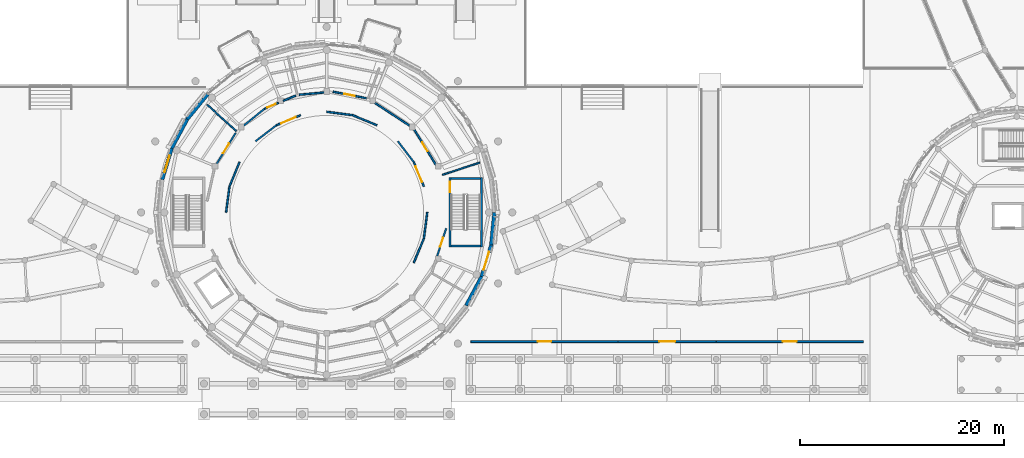
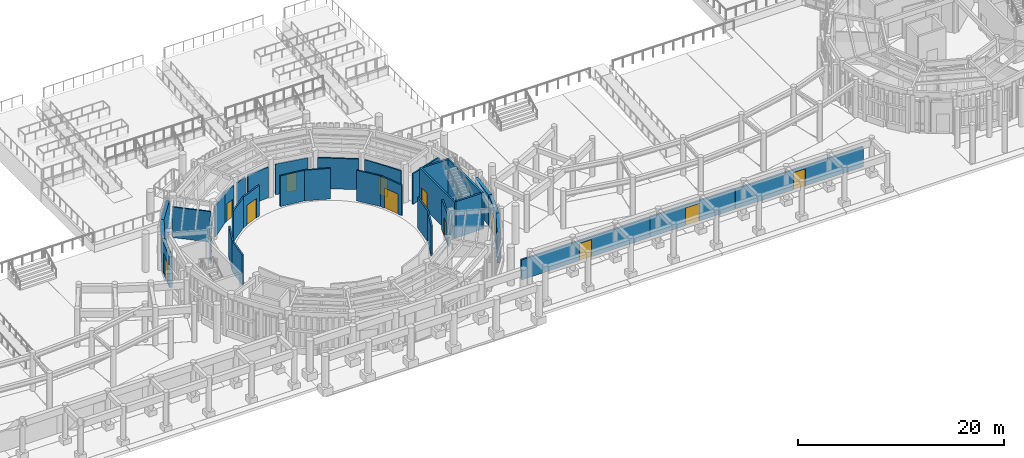
# One storey, part 49 of 94: 34 walls, 13 doors, 13 openings.
"""IFC4 building model written with IfcOpenShell, lengths in metres."""

from ifc_helpers import new_model, si_unit, direction, frame, frame_2d, origin, place, context, subcontext, project, spatial, rectangle, extrude, material, layer, layer_set, type_object, element, fill, save


model = new_model("IFC4")

# Units and contexts
model_context = context("Model", 3, precision=1e-05, world=origin(), true_north=direction((0.0, 1.0)))
body_context = subcontext(model_context, "Body", "Model", "MODEL_VIEW")
ifc_project = project(units=[si_unit("LENGTHUNIT", "METRE"), si_unit("AREAUNIT", "SQUARE_METRE"), si_unit("VOLUMEUNIT", "CUBIC_METRE"), si_unit("PLANEANGLEUNIT", "RADIAN"), si_unit("MASSUNIT", "GRAM", prefix="KILO")], contexts=[model_context])

# Site, building, storey
site_placement = place(None, origin())
site = spatial("IfcSite", under=ifc_project, at=site_placement, CompositionType="ELEMENT")
building_placement = place(site_placement, origin())
building = spatial("IfcBuilding", under=site, at=building_placement, Name="Aldenvaro Health Centre", CompositionType="ELEMENT")
storey_placement = place(building_placement, origin())
storey = spatial("IfcBuildingStorey", under=building, at=storey_placement, Name="L00", CompositionType="ELEMENT", Elevation=0.0)

# Walls
ifc_material_1 = material(Name="Gypsum Stud Acoustic Assembly")
ifc_layer_1 = layer(ifc_material_1, 0.14501953125, Name="Gypsum Stud Acoustic Assembly")
ifc_layer_set_1 = layer_set([ifc_layer_1], Name="Gypsum Stud Acoustic Assembly")
wall_type_1 = type_object("IfcWallType", Name="WL-CLN-145", PredefinedType="PARTITIONING", material=ifc_layer_set_1)
wall_1_placement = place(storey_placement, frame((98.320068359375, 23.677978515625, 0.0), z_axis=(0.0, 0.0, 1.0), x_axis=(0.951000745696, 0.309188585957, 0.0)))
element("IfcWall", 1, at=wall_1_placement, inside=storey, type_object=wall_type_1, Name="D1 L00 clinical partition 1.1", PredefinedType="PARTITIONING", context=body_context, shape_type="SweptSolid", body=[
    extrude(rectangle(XDim=3.8232421875, YDim=0.14501953125, at=frame_2d((1.91162109375, 0.0))), origin(), (0.0, 0.0, 1.0), 3.634033203125),
])
wall_2_placement = place(storey_placement, frame((78.154052734375, 27.965087890625, 0.0), z_axis=(0.0, 0.0, 1.0), x_axis=(-0.74318650969, 0.66908430845, 0.0)))
element("IfcWall", 2, at=wall_2_placement, inside=storey, type_object=wall_type_1, Name="D1 L00 clinical partition 4.1", PredefinedType="PARTITIONING", context=body_context, shape_type="SweptSolid", body=[
    extrude(rectangle(XDim=3.8349609375, YDim=0.14501953125, at=frame_2d((1.91748046875, 0.0))), origin(), (0.0, 0.0, 1.0), 3.634033203125),
])

# Wall, opening, door
ifc_layer_2 = layer(ifc_material_1, 0.1650390625, Name="Gypsum Stud Acoustic Assembly")
ifc_layer_set_2 = layer_set([ifc_layer_2], Name="Gypsum Stud Acoustic Assembly")
wall_type_2 = type_object("IfcWallType", Name="WL-COR-165", PredefinedType="PARTITIONING", material=ifc_layer_set_2)
wall_3_placement = place(storey_placement, frame((96.5048828125, 22.547119140625, 0.0), z_axis=(0.0, 0.0, 1.0), x_axis=(-0.382704397106, 0.923870848353, 0.0)))
wall_3 = element("IfcWall", 3, at=wall_3_placement, inside=storey, type_object=wall_type_2, Name="Waiting Hall Ring Wall 02", PredefinedType="PARTITIONING", context=body_context, shape_type="SweptSolid", body=[
    extrude(rectangle(XDim=2.568359375, YDim=0.1650390625, at=frame_2d((1.2841796875, 0.0))), origin(), (0.0, 0.0, 1.0), 3.634033203125),
])
opening_1_placement = place(wall_3_placement, frame((0.458984375, 0.0, 0.0)))
opening_1 = element("IfcOpeningElement", 4, at=opening_1_placement, cuts=wall_3, Name="Opening RD-01", PredefinedType="OPENING", context=body_context, shape_type="SweptSolid", body=[
    extrude(rectangle(XDim=1.64990234375, YDim=2.39990234375, at=frame_2d((0.824951171875, 1.199951171875))), frame((0.0, 0.092529296875, 0.0), z_axis=(0.0, -1.0, 0.0), x_axis=(1.0, 0.0, 0.0)), (0.0, 0.0, 1.0), 0.18505859375),
])
ifc_material_2 = material(Name="Glazed Rotunda Concourse Portal")
door_type_1 = type_object("IfcDoorType", Name="DR-ROT-165", OperationType="NOTDEFINED", PredefinedType="DOOR", material=ifc_material_2)
door_1_placement = place(opening_1_placement, origin())
door_1 = element("IfcDoor", 5, at=door_1_placement, inside=storey, type_object=door_type_1, Name="Main Waiting Hall Concourse Door 2", OperationType="SINGLE_SWING_RIGHT", OverallHeight=2.39990234375, OverallWidth=1.64990234375, PredefinedType="DOOR", context=body_context, shape_type="SweptSolid", body=[
    extrude(rectangle(XDim=1.64990234375, YDim=2.39990234375, at=frame_2d((0.824951171875, 1.199951171875))), frame((0.0, 0.02490234375, 0.0), z_axis=(0.0, -1.0, 0.0), x_axis=(1.0, 0.0, 0.0)), (0.0, 0.0, 1.0), 0.050048828125),
])
fill(opening_1, door_1)

# Walls
wall_4_placement = place(storey_placement, frame((95.52197265625, 24.919921875, 0.0), z_axis=(0.0, 0.0, 1.0), x_axis=(-0.608782621434, 0.793337078322, 0.0)))
element("IfcWall", 6, at=wall_4_placement, inside=storey, type_object=wall_type_2, Name="Waiting Hall Ring Wall 03", PredefinedType="PARTITIONING", context=body_context, shape_type="SweptSolid", body=[
    extrude(rectangle(XDim=2.569091796875, YDim=0.1650390625, at=frame_2d((1.28466796875, 0.0))), origin(), (0.0, 0.0, 1.0), 3.634033203125),
])
wall_5_placement = place(storey_placement, frame((91.919921875, 28.52197265625, 0.0), z_axis=(0.0, 0.0, 1.0), x_axis=(-0.923870848353, 0.382704397106, 0.0)))
element("IfcWall", 7, at=wall_5_placement, inside=storey, type_object=wall_type_2, Name="Waiting Hall Ring Wall 05", PredefinedType="PARTITIONING", context=body_context, shape_type="SweptSolid", body=[
    extrude(rectangle(XDim=2.568359375, YDim=0.1650390625, at=frame_2d((1.2841796875, 0.0))), origin(), (0.0, 0.0, 1.0), 3.634033203125),
])
wall_6_placement = place(storey_placement, frame((89.547119140625, 29.5048828125, 0.0), z_axis=(0.0, 0.0, 1.0), x_axis=(-0.991451384224, 0.130476636685, 0.0)))
element("IfcWall", 8, at=wall_6_placement, inside=storey, type_object=wall_type_2, Name="Waiting Hall Ring Wall 06", PredefinedType="PARTITIONING", context=body_context, shape_type="SweptSolid", body=[
    extrude(rectangle(XDim=2.569091796875, YDim=0.1650390625, at=frame_2d((1.28466796875, 0.0))), origin(), (0.0, 0.0, 1.0), 3.634033203125),
])

# Wall, opening, door
wall_7_placement = place(storey_placement, frame((84.452880859375, 29.5048828125, 0.0), z_axis=(0.0, 0.0, 1.0), x_axis=(-0.923870848353, -0.382704397106, 0.0)))
wall_7 = element("IfcWall", 9, at=wall_7_placement, inside=storey, type_object=wall_type_2, Name="Waiting Hall Ring Wall 08", PredefinedType="PARTITIONING", context=body_context, shape_type="SweptSolid", body=[
    extrude(rectangle(XDim=2.568359375, YDim=0.1650390625, at=frame_2d((1.2841796875, 0.0))), origin(), (0.0, 0.0, 1.0), 3.634033203125),
])
opening_2_placement = place(wall_7_placement, frame((0.509033203125, 0.0, 0.0)))
opening_2 = element("IfcOpeningElement", 10, at=opening_2_placement, cuts=wall_7, Name="Opening RD-02", PredefinedType="OPENING", context=body_context, shape_type="SweptSolid", body=[
    extrude(rectangle(XDim=1.550048828125, YDim=2.35009765625, at=frame_2d((0.77490234375, 1.175048828125))), frame((0.0, 0.092529296875, 0.0), z_axis=(0.0, -1.0, 0.0), x_axis=(1.0, 0.0, 0.0)), (0.0, 0.0, 1.0), 0.18505859375),
])
ifc_material_3 = material(Name="Glazed Waiting Hall Portal")
door_type_2 = type_object("IfcDoorType", Name="DR-ROT-155", OperationType="NOTDEFINED", PredefinedType="DOOR", material=ifc_material_3)
door_2_placement = place(opening_2_placement, origin())
door_2 = element("IfcDoor", 11, at=door_2_placement, inside=storey, type_object=door_type_2, Name="Main Waiting Hall Concourse Door 8", OperationType="SINGLE_SWING_LEFT", OverallHeight=2.35009765625, OverallWidth=1.550048828125, PredefinedType="DOOR", context=body_context, shape_type="SweptSolid", body=[
    extrude(rectangle(XDim=1.550048828125, YDim=2.35009765625, at=frame_2d((0.77490234375, 1.175048828125))), frame((0.0, 0.02490234375, 0.0), z_axis=(0.0, -1.0, 0.0), x_axis=(1.0, 0.0, 0.0)), (0.0, 0.0, 1.0), 0.050048828125),
])
fill(opening_2, door_2)

# Walls
wall_8_placement = place(storey_placement, frame((82.080078125, 28.52197265625, 0.0), z_axis=(0.0, 0.0, 1.0), x_axis=(-0.793337078322, -0.608782621434, 0.0)))
element("IfcWall", 12, at=wall_8_placement, inside=storey, type_object=wall_type_2, Name="Waiting Hall Ring Wall 09", PredefinedType="PARTITIONING", context=body_context, shape_type="SweptSolid", body=[
    extrude(rectangle(XDim=2.569091796875, YDim=0.1650390625, at=frame_2d((1.28466796875, 0.0))), origin(), (0.0, 0.0, 1.0), 3.634033203125),
])
wall_9_placement = place(storey_placement, frame((78.47802734375, 24.919921875, 0.0), z_axis=(0.0, 0.0, 1.0), x_axis=(-0.382704397106, -0.923870848353, 0.0)))
element("IfcWall", 13, at=wall_9_placement, inside=storey, type_object=wall_type_2, Name="Waiting Hall Ring Wall 11", PredefinedType="PARTITIONING", context=body_context, shape_type="SweptSolid", body=[
    extrude(rectangle(XDim=2.568359375, YDim=0.1650390625, at=frame_2d((1.2841796875, 0.0))), origin(), (0.0, 0.0, 1.0), 3.634033203125),
])
wall_10_placement = place(storey_placement, frame((77.4951171875, 22.547119140625, 0.0), z_axis=(0.0, 0.0, 1.0), x_axis=(-0.130476636685, -0.991451384224, 0.0)))
element("IfcWall", 14, at=wall_10_placement, inside=storey, type_object=wall_type_2, Name="Waiting Hall Ring Wall 12", PredefinedType="PARTITIONING", context=body_context, shape_type="SweptSolid", body=[
    extrude(rectangle(XDim=2.569091796875, YDim=0.1650390625, at=frame_2d((1.28466796875, 0.0))), origin(), (0.0, 0.0, 1.0), 3.634033203125),
])
wall_11_placement = place(storey_placement, frame((95.52197265625, 15.080078125, 0.0), z_axis=(0.0, 0.0, 1.0), x_axis=(0.382704397106, 0.923870848353, 0.0)))
element("IfcWall", 15, at=wall_11_placement, inside=storey, type_object=wall_type_2, Name="Waiting Hall Ring Wall 23", PredefinedType="PARTITIONING", context=body_context, shape_type="SweptSolid", body=[
    extrude(rectangle(XDim=2.568359375, YDim=0.1650390625, at=frame_2d((1.2841796875, 0.0))), origin(), (0.0, 0.0, 1.0), 3.634033203125),
])
wall_12_placement = place(storey_placement, frame((96.5048828125, 17.452880859375, 0.0), z_axis=(0.0, 0.0, 1.0), x_axis=(0.130476636685, 0.991451384224, 0.0)))
element("IfcWall", 16, at=wall_12_placement, inside=storey, type_object=wall_type_2, Name="Waiting Hall Ring Wall 24", PredefinedType="PARTITIONING", context=body_context, shape_type="SweptSolid", body=[
    extrude(rectangle(XDim=2.569091796875, YDim=0.1650390625, at=frame_2d((1.28466796875, 0.0))), origin(), (0.0, 0.0, 1.0), 3.634033203125),
])

# Wall, opening, door
wall_13_placement = place(storey_placement, frame((97.674072265625, 24.656982421875, 0.0), z_axis=(0.0, 0.0, 1.0), x_axis=(-0.521326855472, 0.853357082213, 0.0)))
wall_13 = element("IfcWall", 17, at=wall_13_placement, inside=storey, type_object=wall_type_2, Name="D1 L00 corridor wall 01.1", PredefinedType="PARTITIONING", context=body_context, shape_type="SweptSolid", body=[
    extrude(rectangle(XDim=4.089599609375, YDim=0.1650390625, at=frame_2d((2.044921875, 0.0))), origin(), (0.0, 0.0, 1.0), 3.634033203125),
])
opening_3_placement = place(wall_13_placement, frame((1.544921875, 0.0, 0.0)))
opening_3 = element("IfcOpeningElement", 18, at=opening_3_placement, cuts=wall_13, Name="Opening D-03", PredefinedType="OPENING", context=body_context, shape_type="SweptSolid", body=[
    extrude(rectangle(XDim=1.0, YDim=2.139892578125, at=frame_2d((0.5, 1.06982421875))), frame((0.0, 0.092529296875, 0.0), z_axis=(0.0, -1.0, 0.0), x_axis=(1.0, 0.0, 0.0)), (0.0, 0.0, 1.0), 0.18505859375),
])
ifc_material_4 = material(Name="Solid Core Acoustic Timber Door", Category="wood")
door_type_3 = type_object("IfcDoorType", Name="DR-CLN-03", OperationType="NOTDEFINED", PredefinedType="DOOR", material=ifc_material_4)
door_3_placement = place(opening_3_placement, origin())
door_3 = element("IfcDoor", 19, at=door_3_placement, inside=storey, type_object=door_type_3, Name="Registration and Reception Suite Door", OperationType="SINGLE_SWING_RIGHT", OverallHeight=2.139892578125, OverallWidth=1.0, PredefinedType="DOOR", context=body_context, shape_type="SweptSolid", body=[
    extrude(rectangle(XDim=1.0, YDim=2.139892578125, at=frame_2d((0.5, 1.06982421875))), frame((0.0, 0.02490234375, 0.0), z_axis=(0.0, -1.0, 0.0), x_axis=(1.0, 0.0, 0.0)), (0.0, 0.0, 1.0), 0.050048828125),
])
fill(opening_3, door_3)

# Wall
wall_14_placement = place(storey_placement, frame((95.10400390625, 28.47412109375, 0.0), z_axis=(0.0, 0.0, 1.0), x_axis=(-0.834683396139, 0.55073008653, 0.0)))
element("IfcWall", 20, at=wall_14_placement, inside=storey, type_object=wall_type_2, Name="D1 L00 corridor wall 01.2", PredefinedType="PARTITIONING", context=body_context, shape_type="SweptSolid", body=[
    extrude(rectangle(XDim=4.065185546875, YDim=0.1650390625, at=frame_2d((2.03271484375, 0.0))), origin(), (0.0, 0.0, 1.0), 3.634033203125),
])

# Wall, opening, door
wall_15_placement = place(storey_placement, frame((90.876953125, 31.166015625, 0.0), z_axis=(0.0, 0.0, 1.0), x_axis=(-0.981364628343, 0.192154797592, 0.0)))
wall_15 = element("IfcWall", 21, at=wall_15_placement, inside=storey, type_object=wall_type_2, Name="D1 L00 corridor wall 02.1", PredefinedType="PARTITIONING", context=body_context, shape_type="SweptSolid", body=[
    extrude(rectangle(XDim=3.31982421875, YDim=0.1650390625, at=frame_2d((1.659912109375, 0.0))), origin(), (0.0, 0.0, 1.0), 3.634033203125),
])
opening_4_placement = place(wall_15_placement, frame((1.139892578125, 0.0, 0.0)))
opening_4 = element("IfcOpeningElement", 22, at=opening_4_placement, cuts=wall_15, Name="Opening D-04", PredefinedType="OPENING", context=body_context, shape_type="SweptSolid", body=[
    extrude(rectangle(XDim=1.0400390625, YDim=2.139892578125, at=frame_2d((0.52001953125, 1.06982421875))), frame((0.0, 0.092529296875, 0.0), z_axis=(0.0, -1.0, 0.0), x_axis=(1.0, 0.0, 0.0)), (0.0, 0.0, 1.0), 0.18505859375),
])
door_type_4 = type_object("IfcDoorType", Name="DR-CLN-04", OperationType="NOTDEFINED", PredefinedType="DOOR", material=ifc_material_4)
door_4_placement = place(opening_4_placement, origin())
door_4 = element("IfcDoor", 23, at=door_4_placement, inside=storey, type_object=door_type_4, Name="Patient Triage Consulting Room 01 Door", OperationType="SINGLE_SWING_LEFT", OverallHeight=2.139892578125, OverallWidth=1.0400390625, PredefinedType="DOOR", context=body_context, shape_type="SweptSolid", body=[
    extrude(rectangle(XDim=1.0400390625, YDim=2.139892578125, at=frame_2d((0.52001953125, 1.06982421875))), frame((0.0, 0.02490234375, 0.0), z_axis=(0.0, -1.0, 0.0), x_axis=(1.0, 0.0, 0.0)), (0.0, 0.0, 1.0), 0.050048828125),
])
fill(opening_4, door_4)

# Walls
wall_16_placement = place(storey_placement, frame((86.737060546875, 31.72509765625, 0.0), z_axis=(0.0, 0.0, 1.0), x_axis=(-0.996092849472, -0.088312146562, 0.0)))
element("IfcWall", 24, at=wall_16_placement, inside=storey, type_object=wall_type_2, Name="D1 L00 corridor wall 02.2", PredefinedType="PARTITIONING", context=body_context, shape_type="SweptSolid", body=[
    extrude(rectangle(XDim=2.435546875, YDim=0.1650390625, at=frame_2d((1.2177734375, 0.0))), origin(), (0.0, 0.0, 1.0), 3.634033203125),
])
wall_17_placement = place(storey_placement, frame((83.970947265625, 31.425048828125, 0.0), z_axis=(0.0, 0.0, 1.0), x_axis=(-0.921135925223, -0.389241065747, 0.0)))
element("IfcWall", 25, at=wall_17_placement, inside=storey, type_object=wall_type_2, Name="D1 L00 corridor wall 03.1", PredefinedType="PARTITIONING", context=body_context, shape_type="SweptSolid", body=[
    extrude(rectangle(XDim=1.31787109375, YDim=0.1650390625, at=frame_2d((0.658935546875, 0.0))), origin(), (0.0, 0.0, 1.0), 3.634033203125),
])

# Wall, opening, door
wall_18_placement = place(storey_placement, frame((82.2880859375, 30.714111328125, 0.0), z_axis=(0.0, 0.0, 1.0), x_axis=(-0.920994313444, -0.38957601903, 0.0)))
wall_18 = element("IfcWall", 26, at=wall_18_placement, inside=storey, type_object=wall_type_2, Name="D1 L00 corridor wall 03.2", PredefinedType="PARTITIONING", context=body_context, shape_type="SweptSolid", body=[
    extrude(rectangle(XDim=1.493896484375, YDim=0.1650390625, at=frame_2d((0.7470703125, 0.0))), origin(), (0.0, 0.0, 1.0), 3.634033203125),
])
opening_5_placement = place(wall_18_placement, frame((0.297119140625, 0.0, 0.0)))
opening_5 = element("IfcOpeningElement", 27, at=opening_5_placement, cuts=wall_18, Name="Opening WD-01", PredefinedType="OPENING", context=body_context, shape_type="SweptSolid", body=[
    extrude(rectangle(XDim=0.89990234375, YDim=2.10009765625, at=frame_2d((0.449951171875, 1.050048828125))), frame((0.0, 0.092529296875, 0.0), z_axis=(0.0, -1.0, 0.0), x_axis=(1.0, 0.0, 0.0)), (0.0, 0.0, 1.0), 0.18505859375),
])
ifc_material_5 = material(Name="Moisture-Resistant Laminate Door")
door_type_5 = type_object("IfcDoorType", Name="DR-WC-01", OperationType="NOTDEFINED", PredefinedType="DOOR", material=ifc_material_5)
door_5_placement = place(opening_5_placement, origin())
door_5 = element("IfcDoor", 28, at=door_5_placement, inside=storey, type_object=door_type_5, Name="Patient Triage Consulting Room 02 Door", OperationType="SINGLE_SWING_RIGHT", OverallHeight=2.10009765625, OverallWidth=0.89990234375, PredefinedType="DOOR", context=body_context, shape_type="SweptSolid", body=[
    extrude(rectangle(XDim=0.89990234375, YDim=2.10009765625, at=frame_2d((0.449951171875, 1.050048828125))), frame((0.0, 0.02490234375, 0.0), z_axis=(0.0, -1.0, 0.0), x_axis=(1.0, 0.0, 0.0)), (0.0, 0.0, 1.0), 0.050048828125),
])
fill(opening_5, door_5)

# Wall
wall_19_placement = place(storey_placement, frame((80.912109375, 30.132080078125, 0.0), z_axis=(0.0, 0.0, 1.0), x_axis=(-0.776260107644, -0.630412757867, 0.0)))
element("IfcWall", 29, at=wall_19_placement, inside=storey, type_object=wall_type_2, Name="D1 L00 corridor wall 03.3", PredefinedType="PARTITIONING", context=body_context, shape_type="SweptSolid", body=[
    extrude(rectangle(XDim=2.6064453125, YDim=0.1650390625, at=frame_2d((1.30322265625, 0.0))), origin(), (0.0, 0.0, 1.0), 3.634033203125),
])

# Wall, opening, door
wall_20_placement = place(storey_placement, frame((78.10009765625, 27.778076171875, 0.0), z_axis=(0.0, 0.0, 1.0), x_axis=(-0.523664025943, -0.851924872235, 0.0)))
wall_20 = element("IfcWall", 30, at=wall_20_placement, inside=storey, type_object=wall_type_2, Name="D1 L00 corridor wall 04.1", PredefinedType="PARTITIONING", context=body_context, shape_type="SweptSolid", body=[
    extrude(rectangle(XDim=3.552001953125, YDim=0.1650390625, at=frame_2d((1.77587890625, 0.0))), origin(), (0.0, 0.0, 1.0), 3.634033203125),
])
opening_6_placement = place(wall_20_placement, frame((1.216064453125, 0.0, 0.0)))
opening_6 = element("IfcOpeningElement", 31, at=opening_6_placement, cuts=wall_20, Name="Opening D-06", PredefinedType="OPENING", context=body_context, shape_type="SweptSolid", body=[
    extrude(rectangle(XDim=1.1201171875, YDim=2.159912109375, at=frame_2d((0.56005859375, 1.080078125))), frame((0.0, 0.092529296875, 0.0), z_axis=(0.0, -1.0, 0.0), x_axis=(1.0, 0.0, 0.0)), (0.0, 0.0, 1.0), 0.18505859375),
])
ifc_material_6 = material(Name="Bariatric Consulting Timber Door", Category="wood")
door_type_6 = type_object("IfcDoorType", Name="DR-CLN-06", OperationType="NOTDEFINED", PredefinedType="DOOR", material=ifc_material_6)
door_6_placement = place(opening_6_placement, origin())
door_6 = element("IfcDoor", 32, at=door_6_placement, inside=storey, type_object=door_type_6, Name="Health Information and Financial Counselling Door", OperationType="SINGLE_SWING_LEFT", OverallHeight=2.159912109375, OverallWidth=1.1201171875, PredefinedType="DOOR", context=body_context, shape_type="SweptSolid", body=[
    extrude(rectangle(XDim=1.1201171875, YDim=2.159912109375, at=frame_2d((0.56005859375, 1.080078125))), frame((0.0, 0.02490234375, 0.0), z_axis=(0.0, -1.0, 0.0), x_axis=(1.0, 0.0, 0.0)), (0.0, 0.0, 1.0), 0.050048828125),
])
fill(opening_6, door_6)

wall_21_placement = place(storey_placement, frame((97.806884765625, 15.73291015625, 0.0), z_axis=(0.0, 0.0, 1.0), x_axis=(0.309091869187, 0.951032184735, 0.0)))
wall_21 = element("IfcWall", 33, at=wall_21_placement, inside=storey, type_object=wall_type_2, Name="D1 L00 corridor wall 09.2", PredefinedType="PARTITIONING", context=body_context, shape_type="SweptSolid", body=[
    extrude(rectangle(XDim=2.85693359375, YDim=0.1650390625, at=frame_2d((1.428466796875, 0.0))), origin(), (0.0, 0.0, 1.0), 3.634033203125),
])
opening_7_placement = place(wall_21_placement, frame((0.968017578125, 0.0, 0.0)))
opening_7 = element("IfcOpeningElement", 34, at=opening_7_placement, cuts=wall_21, Name="Opening D-09", PredefinedType="OPENING", context=body_context, shape_type="SweptSolid", body=[
    extrude(rectangle(XDim=0.919921875, YDim=2.239990234375, at=frame_2d((0.4599609375, 1.1201171875))), frame((0.0, 0.092529296875, 0.0), z_axis=(0.0, -1.0, 0.0), x_axis=(1.0, 0.0, 0.0)), (0.0, 0.0, 1.0), 0.18505859375),
])
ifc_material_7 = material(Name="Tall Clinical Timber Door", Category="wood")
door_type_7 = type_object("IfcDoorType", Name="DR-CLN-09", OperationType="NOTDEFINED", PredefinedType="DOOR", material=ifc_material_7)
door_7_placement = place(opening_7_placement, origin())
door_7 = element("IfcDoor", 35, at=door_7_placement, inside=storey, type_object=door_type_7, Name="Security and Campus Dispatch Office Door", OperationType="SINGLE_SWING_RIGHT", OverallHeight=2.239990234375, OverallWidth=0.919921875, PredefinedType="DOOR", context=body_context, shape_type="SweptSolid", body=[
    extrude(rectangle(XDim=0.919921875, YDim=2.239990234375, at=frame_2d((0.4599609375, 1.1201171875))), frame((0.0, 0.02490234375, 0.0), z_axis=(0.0, -1.0, 0.0), x_axis=(1.0, 0.0, 0.0)), (0.0, 0.0, 1.0), 0.050048828125),
])
fill(opening_7, door_7)

# Wall
ifc_material_8 = material(Name="Concrete f'c 35 MPa", Category="concrete")
ifc_layer_3 = layer(ifc_material_8, 0.340087890625, Name="Concrete f'c 35 MPa", Category="concrete")
ifc_layer_set_3 = layer_set([ifc_layer_3], Name="Concrete f'c 35 MPa")
wall_type_3 = type_object("IfcWallType", Name="WL-EXT-340", PredefinedType="SOLIDWALL", material=ifc_layer_set_3)
wall_22_placement = place(storey_placement, frame((103.39990234375, 20.0, 0.0), z_axis=(0.0, 0.0, 1.0), x_axis=(-0.097977057849, -0.995188673637, 0.0)))
element("IfcWall", 36, at=wall_22_placement, inside=storey, type_object=wall_type_3, Name="D1 L00 exterior wall 01", PredefinedType="SOLIDWALL", context=body_context, shape_type="SweptSolid", body=[
    extrude(rectangle(XDim=3.21435546875, YDim=0.340087890625, at=frame_2d((1.607177734375, 0.0))), origin(), (0.0, 0.0, 1.0), 3.658935546875),
])

# Wall, opening, door
wall_23_placement = place(storey_placement, frame((103.0849609375, 16.801025390625, 0.0), z_axis=(0.0, 0.0, 1.0), x_axis=(-0.29014016356, -0.956984161567, 0.0)))
wall_23 = element("IfcWall", 37, at=wall_23_placement, inside=storey, type_object=wall_type_3, Name="D1 L00 exterior wall 02", PredefinedType="SOLIDWALL", context=body_context, shape_type="SweptSolid", body=[
    extrude(rectangle(XDim=3.215087890625, YDim=0.340087890625, at=frame_2d((1.607421875, 0.0))), origin(), (0.0, 0.0, 1.0), 3.658935546875),
])
opening_8_placement = place(wall_23_placement, frame((0.7080078125, 0.0, 0.0)))
opening_8 = element("IfcOpeningElement", 38, at=opening_8_placement, cuts=wall_23, Name="Opening ED-01", PredefinedType="OPENING", context=body_context, shape_type="SweptSolid", body=[
    extrude(rectangle(XDim=1.800048828125, YDim=2.550048828125, at=frame_2d((0.89990234375, 1.27490234375))), frame((0.0, 0.18017578125, 0.0), z_axis=(0.0, -1.0, 0.0), x_axis=(1.0, 0.0, 0.0)), (0.0, 0.0, 1.0), 0.360107421875),
])
ifc_material_9 = material(Name="Thermally Broken Glazed Aluminium", Category="aluminium")
door_type_8 = type_object("IfcDoorType", Name="DR-ENT-200", OperationType="NOTDEFINED", PredefinedType="DOOR", material=ifc_material_9)
door_8_placement = place(opening_8_placement, origin())
door_8 = element("IfcDoor", 39, at=door_8_placement, inside=storey, type_object=door_type_8, Name="Pedestrian Final Exit Door 01", OperationType="SINGLE_SWING_LEFT", OverallHeight=2.550048828125, OverallWidth=1.800048828125, PredefinedType="DOOR", context=body_context, shape_type="SweptSolid", body=[
    extrude(rectangle(XDim=1.800048828125, YDim=2.550048828125, at=frame_2d((0.89990234375, 1.27490234375))), frame((0.0, 0.02490234375, 0.0), z_axis=(0.0, -1.0, 0.0), x_axis=(1.0, 0.0, 0.0)), (0.0, 0.0, 1.0), 0.050048828125),
])
fill(opening_8, door_8)

# Wall
wall_24_placement = place(storey_placement, frame((102.152099609375, 13.72412109375, 0.0), z_axis=(0.0, 0.0, 1.0), x_axis=(-0.47155750426, -0.881835313523, 0.0)))
element("IfcWall", 40, at=wall_24_placement, inside=storey, type_object=wall_type_3, Name="D1 L00 exterior wall 03", PredefinedType="SOLIDWALL", context=body_context, shape_type="SweptSolid", body=[
    extrude(rectangle(XDim=3.215087890625, YDim=0.340087890625, at=frame_2d((1.607421875, 0.0))), origin(), (0.0, 0.0, 1.0), 3.658935546875),
])

# Wall, opening, door
wall_25_placement = place(storey_placement, frame((70.9150390625, 23.198974609375, 0.0), z_axis=(0.0, 0.0, 1.0), x_axis=(0.29014016356, 0.956984161567, 0.0)))
wall_25 = element("IfcWall", 41, at=wall_25_placement, inside=storey, type_object=wall_type_3, Name="D1 L00 exterior wall 18", PredefinedType="SOLIDWALL", context=body_context, shape_type="SweptSolid", body=[
    extrude(rectangle(XDim=3.215087890625, YDim=0.340087890625, at=frame_2d((1.607421875, 0.0))), origin(), (0.0, 0.0, 1.0), 3.658935546875),
])
opening_9_placement = place(wall_25_placement, frame((0.782958984375, 0.0, 0.0)))
opening_9 = element("IfcOpeningElement", 42, at=opening_9_placement, cuts=wall_25, Name="Opening ED-02", PredefinedType="OPENING", context=body_context, shape_type="SweptSolid", body=[
    extrude(rectangle(XDim=1.64990234375, YDim=2.449951171875, at=frame_2d((0.824951171875, 1.22509765625))), frame((0.0, 0.18017578125, 0.0), z_axis=(0.0, -1.0, 0.0), x_axis=(1.0, 0.0, 0.0)), (0.0, 0.0, 1.0), 0.360107421875),
])
door_type_9 = type_object("IfcDoorType", Name="DR-ENT-175", OperationType="NOTDEFINED", PredefinedType="DOOR", material=ifc_material_9)
door_9_placement = place(opening_9_placement, origin())
door_9 = element("IfcDoor", 43, at=door_9_placement, inside=storey, type_object=door_type_9, Name="Pedestrian Final Exit Door 04", OperationType="SINGLE_SWING_RIGHT", OverallHeight=2.449951171875, OverallWidth=1.64990234375, PredefinedType="DOOR", context=body_context, shape_type="SweptSolid", body=[
    extrude(rectangle(XDim=1.64990234375, YDim=2.449951171875, at=frame_2d((0.824951171875, 1.22509765625))), frame((0.0, 0.02490234375, 0.0), z_axis=(0.0, -1.0, 0.0), x_axis=(1.0, 0.0, 0.0)), (0.0, 0.0, 1.0), 0.050048828125),
])
fill(opening_9, door_9)

# Walls
for number, where, z_axis, x_axis, name in (
    (44, (71.847900390625, 26.27587890625, 0.0), (0.0, 0.0, 1.0), (0.47155750426, 0.881835313523, 0.0), "D1 L00 exterior wall 19"),
    (45, (73.364013671875, 29.111083984375, 0.0), (0.0, 0.0, 1.0), (0.634204896314, 0.773165020866, 0.0), "D1 L00 exterior wall 20"),
):
    element("IfcWall", number, at=place(storey_placement, frame(where, z_axis=z_axis, x_axis=x_axis)), inside=storey, type_object=wall_type_3, Name=name, PredefinedType="SOLIDWALL", context=body_context, shape_type="SweptSolid", body=[
        extrude(rectangle(XDim=3.215087890625, YDim=0.340087890625, at=frame_2d((1.607421875, 0.0))), origin(), (0.0, 0.0, 1.0), 3.658935546875),
    ])

# Wall, opening, door
ifc_layer_4 = layer(ifc_material_8, 0.195068359375, Name="Concrete f'c 35 MPa", Category="concrete")
ifc_layer_set_4 = layer_set([ifc_layer_4], Name="Concrete f'c 35 MPa")
wall_type_4 = type_object("IfcWallType", Name="WL-PAR-195", PredefinedType="PARAPET", material=ifc_layer_set_4)
wall_26_placement = place(storey_placement, frame((115.5, 7.35009765625, 0.0), z_axis=(0.0, 0.0, 1.0), x_axis=(-1.0, 0.0, 0.0)))
wall_26 = element("IfcWall", 46, at=wall_26_placement, inside=storey, type_object=wall_type_4, Name="Neoclassical Courtyard Garden Screen Wall 4", PredefinedType="PARAPET", context=body_context, shape_type="SweptSolid", body=[
    extrude(rectangle(XDim=14.39990234375, YDim=0.195068359375, at=frame_2d((7.199951171875, 0.0))), origin(), (0.0, 0.0, 1.0), 2.3701171875),
])
opening_10_placement = place(wall_26_placement, frame((6.52490234375, 0.0, 0.0)))
opening_10 = element("IfcOpeningElement", 47, at=opening_10_placement, cuts=wall_26, Name="Opening GT-02", PredefinedType="OPENING", context=body_context, shape_type="SweptSolid", body=[
    extrude(rectangle(XDim=1.35009765625, YDim=2.050048828125, at=frame_2d((0.675048828125, 1.02490234375))), frame((0.0, 0.107421875, 0.0), z_axis=(0.0, -1.0, 0.0), x_axis=(1.0, 0.0, 0.0)), (0.0, 0.0, 1.0), 0.215087890625),
])
ifc_material_10 = material(Name="Architectural Painted Steel", Category="steel")
door_type_10 = type_object("IfcDoorType", Name="DR-GATE-135", OperationType="NOTDEFINED", PredefinedType="GATE", material=ifc_material_10)
door_10_placement = place(opening_10_placement, origin())
door_10 = element("IfcDoor", 48, at=door_10_placement, inside=storey, type_object=door_type_10, Name="Exterior Therapy Garden Security Gate 4", OperationType="SINGLE_SWING_RIGHT", OverallHeight=2.050048828125, OverallWidth=1.35009765625, PredefinedType="GATE", context=body_context, shape_type="SweptSolid", body=[
    extrude(rectangle(XDim=1.35009765625, YDim=2.050048828125, at=frame_2d((0.675048828125, 1.02490234375))), frame((0.0, 0.02490234375, 0.0), z_axis=(0.0, -1.0, 0.0), x_axis=(1.0, 0.0, 0.0)), (0.0, 0.0, 1.0), 0.050048828125),
])
fill(opening_10, door_10)

wall_27_placement = place(storey_placement, frame((125.10009765625, 7.35009765625, 0.0), z_axis=(0.0, 0.0, 1.0), x_axis=(-1.0, 0.0, 0.0)))
wall_27 = element("IfcWall", 49, at=wall_27_placement, inside=storey, type_object=wall_type_4, Name="Neoclassical Courtyard Garden Screen Wall 5", PredefinedType="PARAPET", context=body_context, shape_type="SweptSolid", body=[
    extrude(rectangle(XDim=9.59814453125, YDim=0.195068359375, at=frame_2d((4.799072265625, 0.0))), origin(), (0.0, 0.0, 1.0), 2.419921875),
])
opening_11_placement = place(wall_27_placement, frame((4.02392578125, 0.0, 0.0)))
opening_11 = element("IfcOpeningElement", 50, at=opening_11_placement, cuts=wall_27, Name="Opening GT-01", PredefinedType="OPENING", context=body_context, shape_type="SweptSolid", body=[
    extrude(rectangle(XDim=1.550048828125, YDim=2.10009765625, at=frame_2d((0.77490234375, 1.050048828125))), frame((0.0, 0.107421875, 0.0), z_axis=(0.0, -1.0, 0.0), x_axis=(1.0, 0.0, 0.0)), (0.0, 0.0, 1.0), 0.215087890625),
])
door_type_11 = type_object("IfcDoorType", Name="DR-GATE-155", OperationType="NOTDEFINED", PredefinedType="GATE", material=ifc_material_10)
door_11_placement = place(opening_11_placement, origin())
door_11 = element("IfcDoor", 51, at=door_11_placement, inside=storey, type_object=door_type_11, Name="Exterior Therapy Garden Security Gate 5", OperationType="SINGLE_SWING_LEFT", OverallHeight=2.10009765625, OverallWidth=1.550048828125, PredefinedType="GATE", context=body_context, shape_type="SweptSolid", body=[
    extrude(rectangle(XDim=1.550048828125, YDim=2.10009765625, at=frame_2d((0.77490234375, 1.050048828125))), frame((0.0, 0.02490234375, 0.0), z_axis=(0.0, -1.0, 0.0), x_axis=(1.0, 0.0, 0.0)), (0.0, 0.0, 1.0), 0.050048828125),
])
fill(opening_11, door_11)

wall_28_placement = place(storey_placement, frame((139.5, 7.35009765625, 0.0), z_axis=(0.0, 0.0, 1.0), x_axis=(-1.0, 0.0, 0.0)))
wall_28 = element("IfcWall", 52, at=wall_28_placement, inside=storey, type_object=wall_type_4, Name="Neoclassical Courtyard Garden Screen Wall 6", PredefinedType="PARAPET", context=body_context, shape_type="SweptSolid", body=[
    extrude(rectangle(XDim=14.39794921875, YDim=0.195068359375, at=frame_2d((7.198974609375, 0.0))), origin(), (0.0, 0.0, 1.0), 2.3701171875),
])
opening_12_placement = place(wall_28_placement, frame((6.52392578125, 0.0, 0.0)))
opening_12 = element("IfcOpeningElement", 53, at=opening_12_placement, cuts=wall_28, Name="Opening GT-02", PredefinedType="OPENING", context=body_context, shape_type="SweptSolid", body=[
    extrude(rectangle(XDim=1.35009765625, YDim=2.050048828125, at=frame_2d((0.675048828125, 1.02490234375))), frame((0.0, 0.107421875, 0.0), z_axis=(0.0, -1.0, 0.0), x_axis=(1.0, 0.0, 0.0)), (0.0, 0.0, 1.0), 0.215087890625),
])
door_12_placement = place(opening_12_placement, origin())
door_12 = element("IfcDoor", 54, at=door_12_placement, inside=storey, type_object=door_type_10, Name="Exterior Therapy Garden Security Gate 6", OperationType="SINGLE_SWING_RIGHT", OverallHeight=2.050048828125, OverallWidth=1.35009765625, PredefinedType="GATE", context=body_context, shape_type="SweptSolid", body=[
    extrude(rectangle(XDim=1.35009765625, YDim=2.050048828125, at=frame_2d((0.675048828125, 1.02490234375))), frame((0.0, 0.02490234375, 0.0), z_axis=(0.0, -1.0, 0.0), x_axis=(1.0, 0.0, 0.0)), (0.0, 0.0, 1.0), 0.050048828125),
])
fill(opening_12, door_12)

ifc_material_11 = material(Name="Concrete f'c 40 MPa", Category="concrete")
ifc_layer_5 = layer(ifc_material_11, 0.199951171875, Name="Concrete f'c 40 MPa", Category="concrete")
ifc_layer_set_5 = layer_set([ifc_layer_5], Name="Concrete f'c 40 MPa")
wall_type_5 = type_object("IfcWallType", Name="WL-SHAFT-200", PredefinedType="SHEAR", material=ifc_layer_set_5)
wall_29_placement = place(storey_placement, frame((99.050048828125, 23.39990234375, 0.0), z_axis=(0.0, 0.0, 1.0), x_axis=(0.0, -1.0, 0.0)))
wall_29 = element("IfcWall", 55, at=wall_29_placement, inside=storey, type_object=wall_type_5, Name="ST-02 L00 inner core wall", PredefinedType="SHEAR", context=body_context, shape_type="SweptSolid", body=[
    extrude(rectangle(XDim=6.7998046875, YDim=0.199951171875, at=frame_2d((3.39990234375, 0.0))), origin(), (0.0, 0.0, 1.0), 4.304931640625),
])
opening_13_placement = place(wall_29_placement, frame((0.3798828125, 0.0, 0.0)))
opening_13 = element("IfcOpeningElement", 56, at=opening_13_placement, cuts=wall_29, Name="Opening FD-02", PredefinedType="OPENING", context=body_context, shape_type="SweptSolid", body=[
    extrude(rectangle(XDim=1.050048828125, YDim=2.14990234375, at=frame_2d((0.52490234375, 1.074951171875))), frame((0.0, 0.10986328125, 0.0), z_axis=(0.0, -1.0, 0.0), x_axis=(1.0, 0.0, 0.0)), (0.0, 0.0, 1.0), 0.219970703125),
])
ifc_material_12 = material(Name="Fire-Rated Steel Door Assembly", Category="steel")
door_type_12 = type_object("IfcDoorType", Name="DR-STAIR-105", OperationType="NOTDEFINED", PredefinedType="DOOR", material=ifc_material_12)
door_13_placement = place(opening_13_placement, origin())
door_13 = element("IfcDoor", 57, at=door_13_placement, inside=storey, type_object=door_type_12, Name="ST-02 L00 fire stair door", OperationType="SINGLE_SWING_LEFT", OverallHeight=2.14990234375, OverallWidth=1.050048828125, PredefinedType="DOOR", context=body_context, shape_type="SweptSolid", body=[
    extrude(rectangle(XDim=1.050048828125, YDim=2.14990234375, at=frame_2d((0.52490234375, 1.074951171875))), frame((0.0, 0.02490234375, 0.0), z_axis=(0.0, -1.0, 0.0), x_axis=(1.0, 0.0, 0.0)), (0.0, 0.0, 1.0), 0.050048828125),
])
fill(opening_13, door_13)

# Walls
wall_30_placement = place(storey_placement, frame((102.14990234375, 23.39990234375, 0.0), z_axis=(0.0, 0.0, 1.0), x_axis=(0.0, -1.0, 0.0)))
element("IfcWall", 58, at=wall_30_placement, inside=storey, type_object=wall_type_5, Name="ST-02 L00 far core wall", PredefinedType="SHEAR", context=body_context, shape_type="SweptSolid", body=[
    extrude(rectangle(XDim=6.7998046875, YDim=0.199951171875, at=frame_2d((3.39990234375, 0.0))), origin(), (0.0, 0.0, 1.0), 4.304931640625),
])
for number, where, z_axis, x_axis, name in (
    (59, (99.14990234375, 23.300048828125, 0.0), (0.0, 0.0, 1.0), (1.0, 0.0, 0.0), "ST-02 L00 side core wall L"),
    (60, (99.14990234375, 16.699951171875, 0.0), (0.0, 0.0, 1.0), (1.0, 0.0, 0.0), "ST-02 L00 side core wall R"),
):
    element("IfcWall", number, at=place(storey_placement, frame(where, z_axis=z_axis, x_axis=x_axis)), inside=storey, type_object=wall_type_5, Name=name, PredefinedType="SHEAR", context=body_context, shape_type="SweptSolid", body=[
        extrude(rectangle(XDim=2.900146484375, YDim=0.199951171875, at=frame_2d((1.4501953125, 0.0))), origin(), (0.0, 0.0, 1.0), 4.304931640625),
    ])

save(model, "model.ifc")
